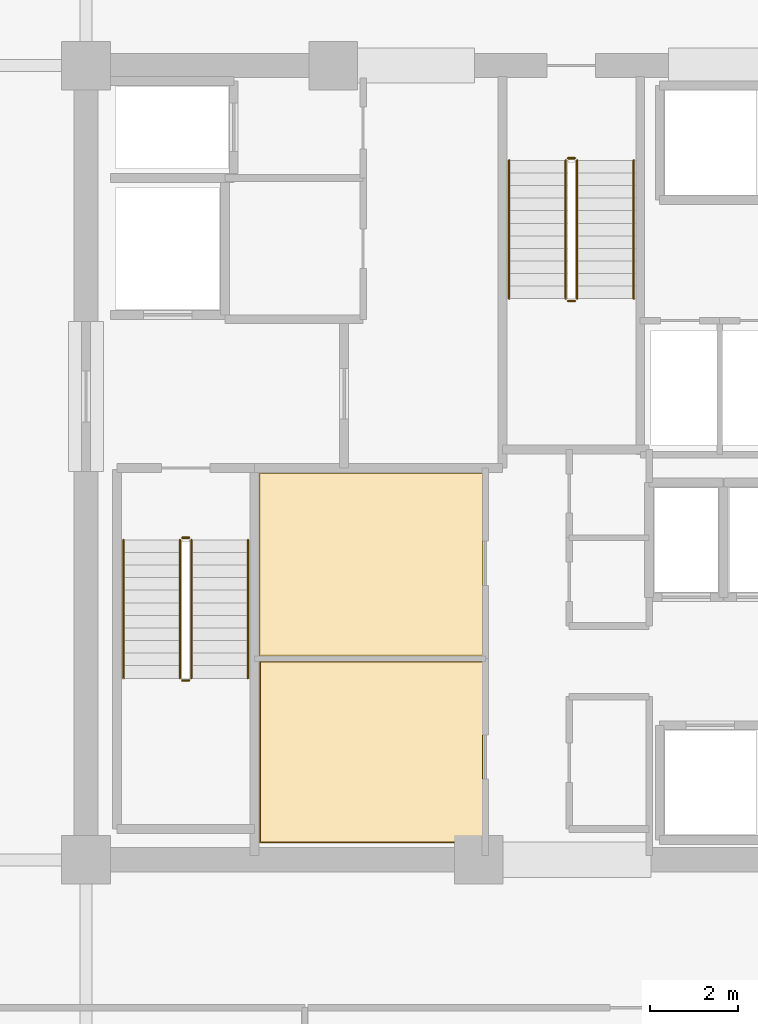
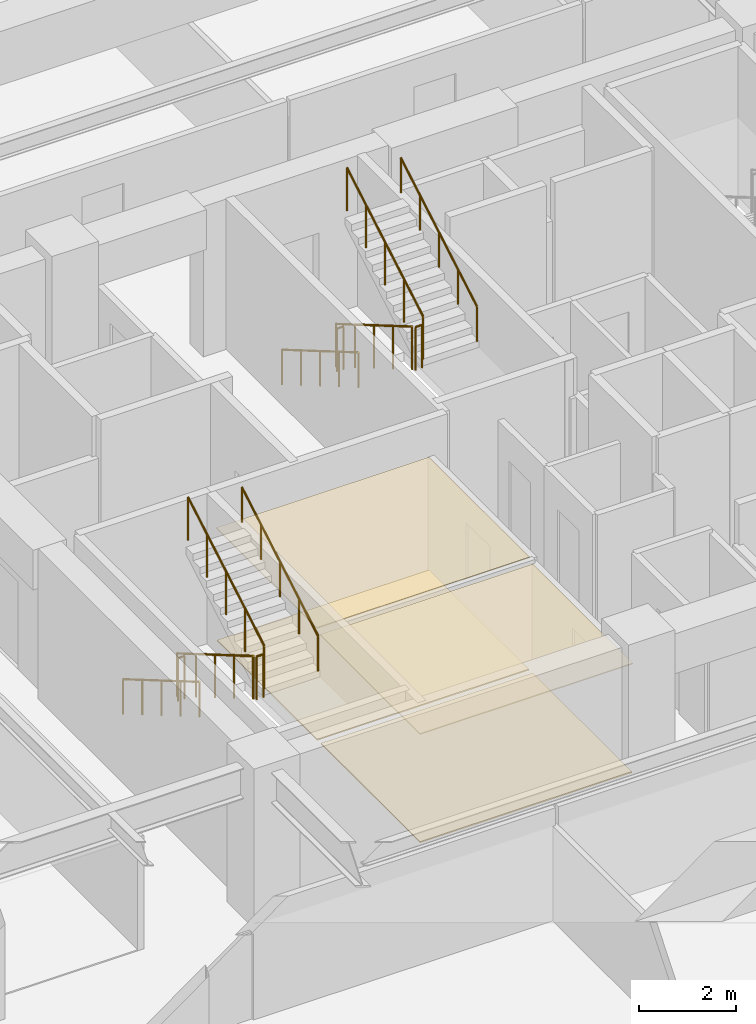
# One storey, part 20 of 22: 12 railings, 4 coverings.
"""IFC4 building model written with IfcOpenShell, lengths in metres."""

from ifc_helpers import new_model, si_unit, direction, frame, origin, origin_2d, place, context, subcontext, project, spatial, polyline, circle, outline, extrude, material, layer, layer_set, type_object, element, save


model = new_model("IFC4")

# Units and contexts
model_context = context("Model", 3, precision=1e-05, world=origin(), true_north=direction((0.0, 1.0)))
body_context = subcontext(model_context, "Body", "Model", "MODEL_VIEW")
ifc_project = project(units=[si_unit("LENGTHUNIT", "METRE"), si_unit("AREAUNIT", "SQUARE_METRE"), si_unit("VOLUMEUNIT", "CUBIC_METRE"), si_unit("PLANEANGLEUNIT", "RADIAN"), si_unit("MASSUNIT", "GRAM", prefix="KILO")], contexts=[model_context])

# Site, building, storey
site_placement = place(None, origin())
site = spatial("IfcSite", under=ifc_project, at=site_placement, CompositionType="ELEMENT")
building_placement = place(site_placement, origin())
building = spatial("IfcBuilding", under=site, at=building_placement, Name="Kovane Verandah Tower", CompositionType="ELEMENT")
storey_placement = place(building_placement, frame((0.0, 0.0, 156.39990234375)))
storey = spatial("IfcBuildingStorey", under=building, at=storey_placement, Name="L36", CompositionType="ELEMENT", Elevation=156.39990234375)

# Coverings
ifc_material_1 = material(Name="Perforated Acoustic Mineral-Fibre Ceiling Tile", Category="gypsum")
ifc_layer_1 = layer(ifc_material_1, 0.02490234375)
ifc_layer_set_1 = layer_set([ifc_layer_1], Name="Perforated Acoustic Mineral-Fibre Ceiling Tile")
covering_type_1 = type_object("IfcCoveringType", Name="CV-CEIL-25", PredefinedType="CEILING", material=ifc_layer_set_1)
covering_1_placement = place(storey_placement, frame((0.0, 0.0, 2.72998046875)))
element("IfcCovering", 1, at=covering_1_placement, inside=storey, type_object=covering_type_1, Name="L36 IT Server Room Acoustic Ceiling", PredefinedType="CEILING", context=body_context, shape_type="SweptSolid", body=[
    extrude(outline(polyline([(32.93505859375, 18.885009765625), (37.9951171875, 18.885009765625), (37.9951171875, 22.9951171875), (32.93505859375, 22.9951171875), (32.93505859375, 18.885009765625)])), origin(), (0.0, 0.0, 1.0), 0.025146484375),
])
covering_2_placement = place(storey_placement, frame((0.0, 0.0, 2.8251953125)))
element("IfcCovering", 2, at=covering_2_placement, inside=storey, type_object=covering_type_1, Name="L36 Telecom MDF Room Acoustic Ceiling", PredefinedType="CEILING", context=body_context, shape_type="SweptSolid", body=[
    extrude(outline(polyline([(32.93505859375, 23.125), (37.9951171875, 23.125), (37.9951171875, 27.264892578125), (32.93505859375, 27.264892578125), (32.93505859375, 23.125)])), origin(), (0.0, 0.0, 1.0), 0.02490234375),
])
ifc_material_2 = material(Name="Polished Terrazzo and Raised-Access Carpet Tile Finish", Category="concrete")
ifc_layer_2 = layer(ifc_material_2, 0.030029296875)
ifc_layer_set_2 = layer_set([ifc_layer_2], Name="Polished Terrazzo and Raised-Access Carpet Tile Finish")
covering_type_2 = type_object("IfcCoveringType", Name="CV-FLOR-30", PredefinedType="FLOORING", material=ifc_layer_set_2)
covering_3_placement = place(storey_placement, origin())
element("IfcCovering", 3, at=covering_3_placement, inside=storey, type_object=covering_type_2, Name="L36 IT Server Room Floor Finish", PredefinedType="FLOORING", context=body_context, shape_type="SweptSolid", body=[
    extrude(outline(polyline([(32.949951171875, 18.89990234375), (37.97998046875, 18.89990234375), (37.97998046875, 22.97998046875), (32.949951171875, 22.97998046875), (32.949951171875, 18.89990234375)])), origin(), (0.0, 0.0, 1.0), 0.030029296875),
])
covering_4_placement = place(storey_placement, origin())
element("IfcCovering", 4, at=covering_4_placement, inside=storey, type_object=covering_type_2, Name="L36 Telecom MDF Room Floor Finish", PredefinedType="FLOORING", context=body_context, shape_type="SweptSolid", body=[
    extrude(outline(polyline([(32.949951171875, 23.139892578125), (37.97998046875, 23.139892578125), (37.97998046875, 27.25), (32.949951171875, 27.25), (32.949951171875, 23.139892578125)])), origin(), (0.0, 0.0, 1.0), 0.030029296875),
])

# Railings
ifc_material_3 = material(Name="Brushed Stainless Steel Handrail", Category="steel")
railing_type_1 = type_object("IfcRailingType", Name="RL-HAND-920", PredefinedType="HANDRAIL", material=ifc_material_3)
railing_1_placement = place(storey_placement, frame((29.85009765625, 25.75, 0.166748046875)))
element("IfcRailing", 5, at=railing_1_placement, inside=storey, type_object=railing_type_1, Name="L36 ST-01 stair handrail 1", PredefinedType="HANDRAIL", context=body_context, shape_type="SweptSolid", body=[
    extrude(circle(Radius=0.02392578125, at=origin_2d()), frame((0.0, 0.0, 0.8759765625), z_axis=(0.0, -0.863239559939, 0.504794475164), x_axis=(1.0, 0.0, 0.0)), (0.0, 0.0, 1.0), 3.631591796875),
    extrude(circle(Radius=0.02099609375, at=origin_2d()), origin(), (0.0, 0.0, 1.0), 0.851806640625),
    extrude(circle(Radius=0.02099609375, at=origin_2d()), frame((0.0, -0.78369140625, 0.458251953125)), (0.0, 0.0, 1.0), 0.851806640625),
    extrude(circle(Radius=0.02099609375, at=origin_2d()), frame((0.0, -1.5673828125, 0.91650390625)), (0.0, 0.0, 1.0), 0.851806640625),
    extrude(circle(Radius=0.02099609375, at=origin_2d()), frame((0.0, -2.351318359375, 1.375)), (0.0, 0.0, 1.0), 0.851806640625),
    extrude(circle(Radius=0.02099609375, at=origin_2d()), frame((0.0, -3.135009765625, 1.833251953125)), (0.0, 0.0, 1.0), 0.851806640625),
])
railing_2_placement = place(storey_placement, frame((32.669921875, 22.614990234375, 2.166748046875)))
element("IfcRailing", 6, at=railing_2_placement, inside=storey, type_object=railing_type_1, Name="L36 ST-01 stair handrail 2", PredefinedType="HANDRAIL", context=body_context, shape_type="SweptSolid", body=[
    extrude(circle(Radius=0.02392578125, at=origin_2d()), frame((0.0, 0.0, 0.8759765625), z_axis=(0.0, 0.863239559939, 0.504794475164), x_axis=(-1.0, 0.0, 0.0)), (0.0, 0.0, 1.0), 3.631591796875),
    extrude(circle(Radius=0.02099609375, at=origin_2d()), origin(), (0.0, 0.0, 1.0), 0.851806640625),
    extrude(circle(Radius=0.02099609375, at=origin_2d()), frame((0.0, 0.78369140625, 0.458251953125)), (0.0, 0.0, 1.0), 0.851806640625),
    extrude(circle(Radius=0.02099609375, at=origin_2d()), frame((0.0, 1.5673828125, 0.91650390625)), (0.0, 0.0, 1.0), 0.851806640625),
    extrude(circle(Radius=0.02099609375, at=origin_2d()), frame((0.0, 2.351318359375, 1.375)), (0.0, 0.0, 1.0), 0.851806640625),
    extrude(circle(Radius=0.02099609375, at=origin_2d()), frame((0.0, 3.135009765625, 1.833251953125)), (0.0, 0.0, 1.0), 0.851806640625),
])
railing_3_placement = place(storey_placement, frame((38.590087890625, 34.35009765625, 0.166748046875)))
element("IfcRailing", 7, at=railing_3_placement, inside=storey, type_object=railing_type_1, Name="L36 ST-03 stair handrail 1", PredefinedType="HANDRAIL", context=body_context, shape_type="SweptSolid", body=[
    extrude(circle(Radius=0.02392578125, at=origin_2d()), frame((0.0, 0.0, 0.8759765625), z_axis=(0.0, -0.863239559939, 0.504794475164), x_axis=(1.0, 0.0, 0.0)), (0.0, 0.0, 1.0), 3.631591796875),
    extrude(circle(Radius=0.02099609375, at=origin_2d()), origin(), (0.0, 0.0, 1.0), 0.851806640625),
    extrude(circle(Radius=0.02099609375, at=origin_2d()), frame((0.0, -0.78369140625, 0.458251953125)), (0.0, 0.0, 1.0), 0.851806640625),
    extrude(circle(Radius=0.02099609375, at=origin_2d()), frame((0.0, -1.5673828125, 0.91650390625)), (0.0, 0.0, 1.0), 0.851806640625),
    extrude(circle(Radius=0.02099609375, at=origin_2d()), frame((0.0, -2.351318359375, 1.375)), (0.0, 0.0, 1.0), 0.851806640625),
    extrude(circle(Radius=0.02099609375, at=origin_2d()), frame((0.0, -3.135009765625, 1.833251953125)), (0.0, 0.0, 1.0), 0.851806640625),
])
railing_4_placement = place(storey_placement, frame((41.409912109375, 31.215087890625, 2.166748046875)))
element("IfcRailing", 8, at=railing_4_placement, inside=storey, type_object=railing_type_1, Name="L36 ST-03 stair handrail 2", PredefinedType="HANDRAIL", context=body_context, shape_type="SweptSolid", body=[
    extrude(circle(Radius=0.02392578125, at=origin_2d()), frame((0.0, 0.0, 0.8759765625), z_axis=(0.0, 0.863239559939, 0.504794475164), x_axis=(-1.0, 0.0, 0.0)), (0.0, 0.0, 1.0), 3.631591796875),
    extrude(circle(Radius=0.02099609375, at=origin_2d()), origin(), (0.0, 0.0, 1.0), 0.851806640625),
    extrude(circle(Radius=0.02099609375, at=origin_2d()), frame((0.0, 0.78369140625, 0.458251953125)), (0.0, 0.0, 1.0), 0.851806640625),
    extrude(circle(Radius=0.02099609375, at=origin_2d()), frame((0.0, 1.5673828125, 0.91650390625)), (0.0, 0.0, 1.0), 0.851806640625),
    extrude(circle(Radius=0.02099609375, at=origin_2d()), frame((0.0, 2.351318359375, 1.375)), (0.0, 0.0, 1.0), 0.851806640625),
    extrude(circle(Radius=0.02099609375, at=origin_2d()), frame((0.0, 3.135009765625, 1.833251953125)), (0.0, 0.0, 1.0), 0.851806640625),
])
ifc_material_4 = material(Name="Painted Steel Stairwell Guardrail", Category="steel")
railing_type_2 = type_object("IfcRailingType", Name="RL-STGUARD-1120", PredefinedType="GUARDRAIL", material=ifc_material_4)
railing_5_placement = place(storey_placement, frame((31.1298828125, 25.75, 0.166748046875)))
element("IfcRailing", 9, at=railing_5_placement, inside=storey, type_object=railing_type_2, Name="L36 ST-01 stair guard 1", PredefinedType="GUARDRAIL", context=body_context, shape_type="SweptSolid", body=[
    extrude(circle(Radius=0.02392578125, at=origin_2d()), frame((0.0, 0.0, 1.076171875), z_axis=(0.0, -0.863239559939, 0.504794475164), x_axis=(1.0, 0.0, 0.0)), (0.0, 0.0, 1.0), 3.631591796875),
    extrude(circle(Radius=0.02099609375, at=origin_2d()), origin(), (0.0, 0.0, 1.0), 1.052001953125),
    extrude(circle(Radius=0.02099609375, at=origin_2d()), frame((0.0, -0.78369140625, 0.458251953125)), (0.0, 0.0, 1.0), 1.052001953125),
    extrude(circle(Radius=0.02099609375, at=origin_2d()), frame((0.0, -1.5673828125, 0.91650390625)), (0.0, 0.0, 1.0), 1.052001953125),
    extrude(circle(Radius=0.02099609375, at=origin_2d()), frame((0.0, -2.351318359375, 1.375)), (0.0, 0.0, 1.0), 1.052001953125),
    extrude(circle(Radius=0.02099609375, at=origin_2d()), frame((0.0, -3.135009765625, 1.833251953125)), (0.0, 0.0, 1.0), 1.052001953125),
])
railing_6_placement = place(storey_placement, frame((31.179931640625, 22.56494140625, 2.0)))
element("IfcRailing", 10, at=railing_6_placement, inside=storey, type_object=railing_type_2, Name="L36 ST-01 stair guard 2", PredefinedType="GUARDRAIL", context=body_context, shape_type="SweptSolid", body=[
    extrude(circle(Radius=0.02392578125, at=origin_2d()), frame((0.0, 0.0, 1.076171875), z_axis=(1.0, 0.0, 0.0), x_axis=(0.0, 1.0, 0.0)), (0.0, 0.0, 1.0), 0.16015625),
    extrude(circle(Radius=0.02099609375, at=origin_2d()), origin(), (0.0, 0.0, 1.0), 1.052001953125),
    extrude(circle(Radius=0.02099609375, at=origin_2d()), frame((0.16015625, 0.0, 0.0)), (0.0, 0.0, 1.0), 1.052001953125),
])
railing_7_placement = place(storey_placement, frame((31.389892578125, 22.614990234375, 2.166748046875)))
element("IfcRailing", 11, at=railing_7_placement, inside=storey, type_object=railing_type_2, Name="L36 ST-01 stair guard 3", PredefinedType="GUARDRAIL", context=body_context, shape_type="SweptSolid", body=[
    extrude(circle(Radius=0.02392578125, at=origin_2d()), frame((0.0, 0.0, 1.076171875), z_axis=(0.0, 0.863239559939, 0.504794475164), x_axis=(-1.0, 0.0, 0.0)), (0.0, 0.0, 1.0), 3.631591796875),
    extrude(circle(Radius=0.02099609375, at=origin_2d()), origin(), (0.0, 0.0, 1.0), 1.052001953125),
    extrude(circle(Radius=0.02099609375, at=origin_2d()), frame((0.0, 0.78369140625, 0.458251953125)), (0.0, 0.0, 1.0), 1.052001953125),
    extrude(circle(Radius=0.02099609375, at=origin_2d()), frame((0.0, 1.5673828125, 0.91650390625)), (0.0, 0.0, 1.0), 1.052001953125),
    extrude(circle(Radius=0.02099609375, at=origin_2d()), frame((0.0, 2.351318359375, 1.375)), (0.0, 0.0, 1.0), 1.052001953125),
    extrude(circle(Radius=0.02099609375, at=origin_2d()), frame((0.0, 3.135009765625, 1.833251953125)), (0.0, 0.0, 1.0), 1.052001953125),
])
railing_8_placement = place(storey_placement, frame((31.179931640625, 25.800048828125, 0.0)))
element("IfcRailing", 12, at=railing_8_placement, inside=storey, type_object=railing_type_2, Name="L36 ST-01 stair guard 4", PredefinedType="GUARDRAIL", context=body_context, shape_type="SweptSolid", body=[
    extrude(circle(Radius=0.02392578125, at=origin_2d()), frame((0.0, 0.0, 1.076171875), z_axis=(1.0, 0.0, 0.0), x_axis=(0.0, 1.0, 0.0)), (0.0, 0.0, 1.0), 0.16015625),
    extrude(circle(Radius=0.02099609375, at=origin_2d()), origin(), (0.0, 0.0, 1.0), 1.052001953125),
    extrude(circle(Radius=0.02099609375, at=origin_2d()), frame((0.16015625, 0.0, 0.0)), (0.0, 0.0, 1.0), 1.052001953125),
])
railing_9_placement = place(storey_placement, frame((39.8701171875, 34.35009765625, 0.166748046875)))
element("IfcRailing", 13, at=railing_9_placement, inside=storey, type_object=railing_type_2, Name="L36 ST-03 stair guard 1", PredefinedType="GUARDRAIL", context=body_context, shape_type="SweptSolid", body=[
    extrude(circle(Radius=0.02392578125, at=origin_2d()), frame((0.0, 0.0, 1.076171875), z_axis=(0.0, -0.863239559939, 0.504794475164), x_axis=(1.0, 0.0, 0.0)), (0.0, 0.0, 1.0), 3.631591796875),
    extrude(circle(Radius=0.02099609375, at=origin_2d()), origin(), (0.0, 0.0, 1.0), 1.052001953125),
    extrude(circle(Radius=0.02099609375, at=origin_2d()), frame((0.0, -0.78369140625, 0.458251953125)), (0.0, 0.0, 1.0), 1.052001953125),
    extrude(circle(Radius=0.02099609375, at=origin_2d()), frame((0.0, -1.5673828125, 0.91650390625)), (0.0, 0.0, 1.0), 1.052001953125),
    extrude(circle(Radius=0.02099609375, at=origin_2d()), frame((0.0, -2.351318359375, 1.375)), (0.0, 0.0, 1.0), 1.052001953125),
    extrude(circle(Radius=0.02099609375, at=origin_2d()), frame((0.0, -3.135009765625, 1.833251953125)), (0.0, 0.0, 1.0), 1.052001953125),
])
railing_10_placement = place(storey_placement, frame((39.919921875, 31.1650390625, 2.0)))
element("IfcRailing", 14, at=railing_10_placement, inside=storey, type_object=railing_type_2, Name="L36 ST-03 stair guard 2", PredefinedType="GUARDRAIL", context=body_context, shape_type="SweptSolid", body=[
    extrude(circle(Radius=0.02392578125, at=origin_2d()), frame((0.0, 0.0, 1.076171875), z_axis=(1.0, 0.0, 0.0), x_axis=(0.0, 1.0, 0.0)), (0.0, 0.0, 1.0), 0.16015625),
    extrude(circle(Radius=0.02099609375, at=origin_2d()), origin(), (0.0, 0.0, 1.0), 1.052001953125),
    extrude(circle(Radius=0.02099609375, at=origin_2d()), frame((0.16015625, 0.0, 0.0)), (0.0, 0.0, 1.0), 1.052001953125),
])
railing_11_placement = place(storey_placement, frame((40.1298828125, 31.215087890625, 2.166748046875)))
element("IfcRailing", 15, at=railing_11_placement, inside=storey, type_object=railing_type_2, Name="L36 ST-03 stair guard 3", PredefinedType="GUARDRAIL", context=body_context, shape_type="SweptSolid", body=[
    extrude(circle(Radius=0.02392578125, at=origin_2d()), frame((0.0, 0.0, 1.076171875), z_axis=(0.0, 0.863239559939, 0.504794475164), x_axis=(-1.0, 0.0, 0.0)), (0.0, 0.0, 1.0), 3.631591796875),
    extrude(circle(Radius=0.02099609375, at=origin_2d()), origin(), (0.0, 0.0, 1.0), 1.052001953125),
    extrude(circle(Radius=0.02099609375, at=origin_2d()), frame((0.0, 0.78369140625, 0.458251953125)), (0.0, 0.0, 1.0), 1.052001953125),
    extrude(circle(Radius=0.02099609375, at=origin_2d()), frame((0.0, 1.5673828125, 0.91650390625)), (0.0, 0.0, 1.0), 1.052001953125),
    extrude(circle(Radius=0.02099609375, at=origin_2d()), frame((0.0, 2.351318359375, 1.375)), (0.0, 0.0, 1.0), 1.052001953125),
    extrude(circle(Radius=0.02099609375, at=origin_2d()), frame((0.0, 3.135009765625, 1.833251953125)), (0.0, 0.0, 1.0), 1.052001953125),
])
railing_12_placement = place(storey_placement, frame((39.919921875, 34.39990234375, 0.0)))
element("IfcRailing", 16, at=railing_12_placement, inside=storey, type_object=railing_type_2, Name="L36 ST-03 stair guard 4", PredefinedType="GUARDRAIL", context=body_context, shape_type="SweptSolid", body=[
    extrude(circle(Radius=0.02392578125, at=origin_2d()), frame((0.0, 0.0, 1.076171875), z_axis=(1.0, 0.0, 0.0), x_axis=(0.0, 1.0, 0.0)), (0.0, 0.0, 1.0), 0.16015625),
    extrude(circle(Radius=0.02099609375, at=origin_2d()), origin(), (0.0, 0.0, 1.0), 1.052001953125),
    extrude(circle(Radius=0.02099609375, at=origin_2d()), frame((0.16015625, 0.0, 0.0)), (0.0, 0.0, 1.0), 1.052001953125),
])

save(model, "model.ifc")
